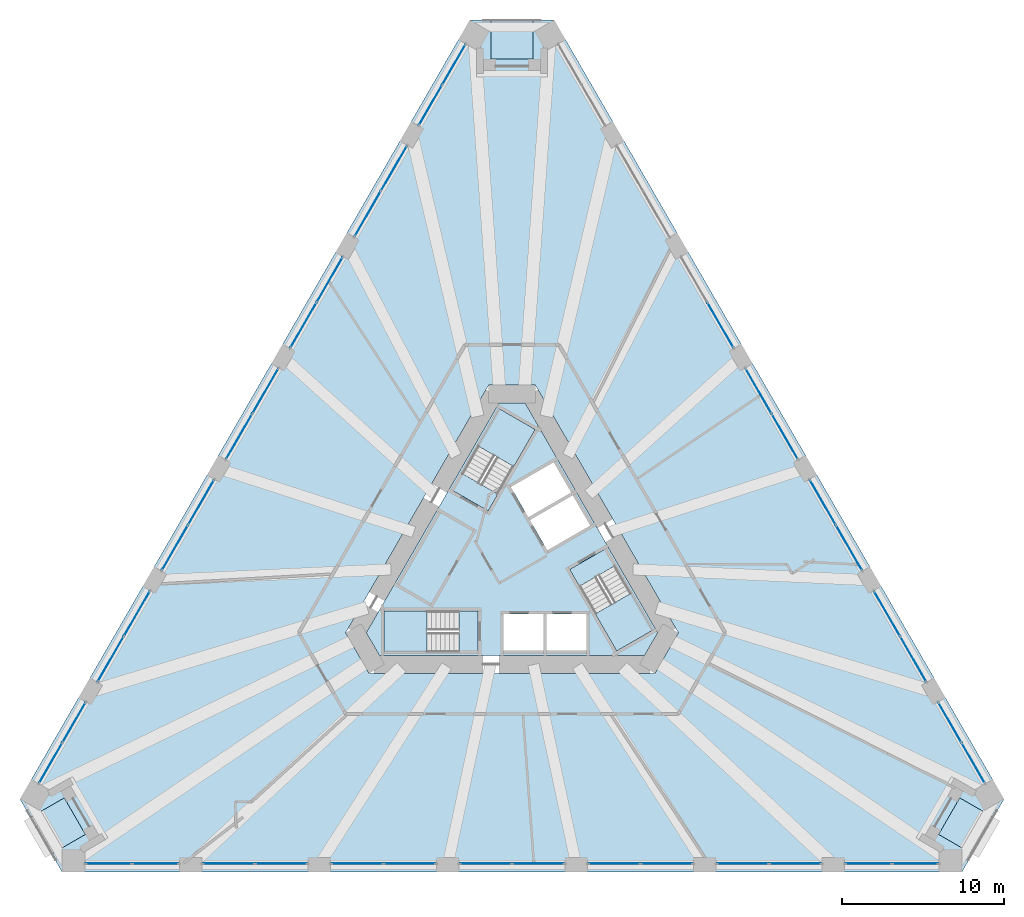
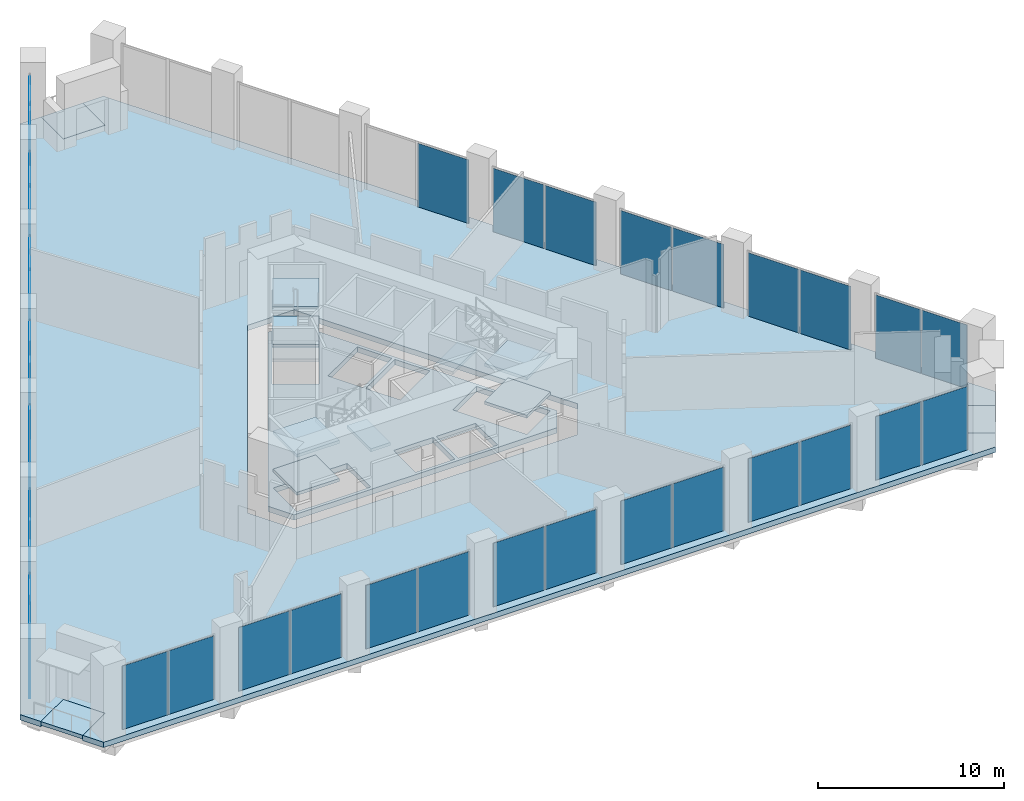
# One storey, part 12 of 20: 37 plates, 14 slabs, 22 elements without a shape of their own.
"""IFC4 building model written with IfcOpenShell, lengths in metres."""

from ifc_helpers import new_model, si_unit, direction, frame, origin, origin_2d, place, context, subcontext, project, spatial, polyline, rectangle, outline, extrude, material, layer, layer_set, type_object, element, aggregate, save


model = new_model("IFC4")

# Units and contexts
model_context = context("Model", 3, precision=1e-05, world=origin(), true_north=direction((0.0, 1.0)))
body_context = subcontext(model_context, "Body", "Model", "MODEL_VIEW")
ifc_project = project(units=[si_unit("LENGTHUNIT", "METRE"), si_unit("AREAUNIT", "SQUARE_METRE"), si_unit("VOLUMEUNIT", "CUBIC_METRE"), si_unit("PLANEANGLEUNIT", "RADIAN"), si_unit("MASSUNIT", "GRAM", prefix="KILO")], contexts=[model_context])

# Site, building, storey
site_placement = place(None, origin())
site = spatial("IfcSite", under=ifc_project, at=site_placement, CompositionType="ELEMENT")
building_placement = place(site_placement, origin())
building = spatial("IfcBuilding", under=site, at=building_placement, Name="Tramontana Tower", CompositionType="ELEMENT")
storey_placement = place(building_placement, frame((0.0, 0.0, 15.0)))
storey = spatial("IfcBuildingStorey", under=building, at=storey_placement, Name="L02", CompositionType="ELEMENT", Elevation=15.0)

# Curtain wall, plates
ifc_material_1 = material(Name="Aluminum extrusion", Category="aluminium")
ifc_layer_1 = layer(ifc_material_1, 0.14990234375)
ifc_layer_set_1 = layer_set([ifc_layer_1], Name="CW2 Podium amenity curtain wall")
curtain_wall_type = type_object("IfcCurtainWallType", Name="CW2 Podium amenity curtain wall", PredefinedType="NOTDEFINED", material=ifc_layer_set_1)
curtain_wall_1_placement = place(storey_placement, origin())
curtain_wall_1 = element("IfcCurtainWall", 1, at=curtain_wall_1_placement, inside=storey, type_object=curtain_wall_type, Name="CW2 curtain wall L02 face 0 bay 1", PredefinedType="NOTDEFINED")
ifc_material_2 = material(Name="Low-iron double glazing unit", Category="glass")
ifc_layer_2 = layer(ifc_material_2, 0.031982421875)
ifc_layer_set_2 = layer_set([ifc_layer_2], Name="CW2-P Glazing panel 32")
plate_type = type_object("IfcPlateType", Name="CW2-P Glazing panel 32", PredefinedType="CURTAIN_PANEL", material=ifc_layer_set_2)
plate_1_placement = place(storey_placement, frame((-3.578125, 30.75244140625, 0.0), z_axis=(0.0, 0.0, 1.0), x_axis=(-0.5, -0.866025403784, 0.0)))
plate_1 = element("IfcPlate", 2, at=plate_1_placement, type_object=plate_type, Name="CW2 curtain wall L02 face 0 bay 1 panel 1.1", PredefinedType="CURTAIN_PANEL", context=body_context, shape_type="SweptSolid", body=[
    extrude(rectangle(XDim=2.819091796875, YDim=0.031982421875, at=origin_2d()), origin(), (0.0, 0.0, 1.0), 4.179931640625),
])
plate_2_placement = place(storey_placement, frame((-5.017578125, 28.25927734375, 0.0), z_axis=(0.0, 0.0, 1.0), x_axis=(-0.5, -0.866025403784, 0.0)))
plate_2 = element("IfcPlate", 3, at=plate_2_placement, type_object=plate_type, Name="CW2 curtain wall L02 face 0 bay 1 panel 2.1", PredefinedType="CURTAIN_PANEL", context=body_context, shape_type="SweptSolid", body=[
    extrude(rectangle(XDim=2.819091796875, YDim=0.031982421875, at=origin_2d()), origin(), (0.0, 0.0, 1.0), 4.179931640625),
])
aggregate(curtain_wall_1, [plate_1, plate_2])

curtain_wall_2_placement = place(storey_placement, origin())
curtain_wall_2 = element("IfcCurtainWall", 4, at=curtain_wall_2_placement, inside=storey, type_object=curtain_wall_type, Name="CW2 curtain wall L02 face 0 bay 2", PredefinedType="NOTDEFINED")
plate_3_placement = place(storey_placement, frame((-7.274658203125, 24.349853515625, 0.0), z_axis=(0.0, 0.0, 1.0), x_axis=(-0.5, -0.866025403784, 0.0)))
plate_3 = element("IfcPlate", 5, at=plate_3_placement, type_object=plate_type, Name="CW2 curtain wall L02 face 0 bay 2 panel 1.1", PredefinedType="CURTAIN_PANEL", context=body_context, shape_type="SweptSolid", body=[
    extrude(rectangle(XDim=3.1689453125, YDim=0.031982421875, at=origin_2d()), origin(), (0.0, 0.0, 1.0), 4.179931640625),
])
plate_4_placement = place(storey_placement, frame((-8.88916015625, 21.5537109375, 0.0), z_axis=(0.0, 0.0, 1.0), x_axis=(-0.5, -0.866025403784, 0.0)))
plate_4 = element("IfcPlate", 6, at=plate_4_placement, type_object=plate_type, Name="CW2 curtain wall L02 face 0 bay 2 panel 2.1", PredefinedType="CURTAIN_PANEL", context=body_context, shape_type="SweptSolid", body=[
    extrude(rectangle(XDim=3.1689453125, YDim=0.031982421875, at=origin_2d()), origin(), (0.0, 0.0, 1.0), 4.179931640625),
])
aggregate(curtain_wall_2, [plate_3, plate_4])

curtain_wall_3_placement = place(storey_placement, origin())
curtain_wall_3 = element("IfcCurtainWall", 7, at=curtain_wall_3_placement, inside=storey, type_object=curtain_wall_type, Name="CW2 curtain wall L02 face 0 bay 3", PredefinedType="NOTDEFINED")
plate_5_placement = place(storey_placement, frame((-11.233642578125, 17.492919921875, 0.0), z_axis=(0.0, 0.0, 1.0), x_axis=(-0.5, -0.866025403784, 0.0)))
plate_5 = element("IfcPlate", 8, at=plate_5_placement, type_object=plate_type, Name="CW2 curtain wall L02 face 0 bay 3 panel 1.1", PredefinedType="CURTAIN_PANEL", context=body_context, shape_type="SweptSolid", body=[
    extrude(rectangle(XDim=3.1689453125, YDim=0.031982421875, at=origin_2d()), origin(), (0.0, 0.0, 1.0), 4.179931640625),
])
plate_6_placement = place(storey_placement, frame((-12.84814453125, 14.696533203125, 0.0), z_axis=(0.0, 0.0, 1.0), x_axis=(-0.5, -0.866025403784, 0.0)))
plate_6 = element("IfcPlate", 9, at=plate_6_placement, type_object=plate_type, Name="CW2 curtain wall L02 face 0 bay 3 panel 2.1", PredefinedType="CURTAIN_PANEL", context=body_context, shape_type="SweptSolid", body=[
    extrude(rectangle(XDim=3.1689453125, YDim=0.031982421875, at=origin_2d()), origin(), (0.0, 0.0, 1.0), 4.179931640625),
])
aggregate(curtain_wall_3, [plate_5, plate_6])

curtain_wall_4_placement = place(storey_placement, origin())
curtain_wall_4 = element("IfcCurtainWall", 10, at=curtain_wall_4_placement, inside=storey, type_object=curtain_wall_type, Name="CW2 curtain wall L02 face 0 bay 4", PredefinedType="NOTDEFINED")
plate_7_placement = place(storey_placement, frame((-15.192626953125, 10.6357421875, 0.0), z_axis=(0.0, 0.0, 1.0), x_axis=(-0.5, -0.866025403784, 0.0)))
plate_7 = element("IfcPlate", 11, at=plate_7_placement, type_object=plate_type, Name="CW2 curtain wall L02 face 0 bay 4 panel 1.1", PredefinedType="CURTAIN_PANEL", context=body_context, shape_type="SweptSolid", body=[
    extrude(rectangle(XDim=3.1689453125, YDim=0.031982421875, at=origin_2d()), origin(), (0.0, 0.0, 1.0), 4.179931640625),
])
plate_8_placement = place(storey_placement, frame((-16.80712890625, 7.83935546875, 0.0), z_axis=(0.0, 0.0, 1.0), x_axis=(-0.5, -0.866025403784, 0.0)))
plate_8 = element("IfcPlate", 12, at=plate_8_placement, type_object=plate_type, Name="CW2 curtain wall L02 face 0 bay 4 panel 2.1", PredefinedType="CURTAIN_PANEL", context=body_context, shape_type="SweptSolid", body=[
    extrude(rectangle(XDim=3.1689453125, YDim=0.031982421875, at=origin_2d()), origin(), (0.0, 0.0, 1.0), 4.179931640625),
])
aggregate(curtain_wall_4, [plate_7, plate_8])

curtain_wall_5_placement = place(storey_placement, origin())
curtain_wall_5 = element("IfcCurtainWall", 13, at=curtain_wall_5_placement, inside=storey, type_object=curtain_wall_type, Name="CW2 curtain wall L02 face 0 bay 5", PredefinedType="NOTDEFINED")
plate_9_placement = place(storey_placement, frame((-19.151611328125, 3.778564453125, 0.0), z_axis=(0.0, 0.0, 1.0), x_axis=(-0.5, -0.866025403784, 0.0)))
plate_9 = element("IfcPlate", 14, at=plate_9_placement, type_object=plate_type, Name="CW2 curtain wall L02 face 0 bay 5 panel 1.1", PredefinedType="CURTAIN_PANEL", context=body_context, shape_type="SweptSolid", body=[
    extrude(rectangle(XDim=3.1689453125, YDim=0.031982421875, at=origin_2d()), origin(), (0.0, 0.0, 1.0), 4.179931640625),
])
plate_10_placement = place(storey_placement, frame((-20.76611328125, 0.982177734375, 0.0), z_axis=(0.0, 0.0, 1.0), x_axis=(-0.5, -0.866025403784, 0.0)))
plate_10 = element("IfcPlate", 15, at=plate_10_placement, type_object=plate_type, Name="CW2 curtain wall L02 face 0 bay 5 panel 2.1", PredefinedType="CURTAIN_PANEL", context=body_context, shape_type="SweptSolid", body=[
    extrude(rectangle(XDim=3.1689453125, YDim=0.031982421875, at=origin_2d()), origin(), (0.0, 0.0, 1.0), 4.179931640625),
])
aggregate(curtain_wall_5, [plate_9, plate_10])

curtain_wall_6_placement = place(storey_placement, origin())
curtain_wall_6 = element("IfcCurtainWall", 16, at=curtain_wall_6_placement, inside=storey, type_object=curtain_wall_type, Name="CW2 curtain wall L02 face 0 bay 6", PredefinedType="NOTDEFINED")
plate_11_placement = place(storey_placement, frame((-23.110595703125, -3.07861328125, 0.0), z_axis=(0.0, 0.0, 1.0), x_axis=(-0.5, -0.866025403784, 0.0)))
plate_11 = element("IfcPlate", 17, at=plate_11_placement, type_object=plate_type, Name="CW2 curtain wall L02 face 0 bay 6 panel 1.1", PredefinedType="CURTAIN_PANEL", context=body_context, shape_type="SweptSolid", body=[
    extrude(rectangle(XDim=3.1689453125, YDim=0.031982421875, at=origin_2d()), origin(), (0.0, 0.0, 1.0), 4.179931640625),
])
plate_12_placement = place(storey_placement, frame((-24.72509765625, -5.875, 0.0), z_axis=(0.0, 0.0, 1.0), x_axis=(-0.5, -0.866025403784, 0.0)))
plate_12 = element("IfcPlate", 18, at=plate_12_placement, type_object=plate_type, Name="CW2 curtain wall L02 face 0 bay 6 panel 2.1", PredefinedType="CURTAIN_PANEL", context=body_context, shape_type="SweptSolid", body=[
    extrude(rectangle(XDim=3.1689453125, YDim=0.031982421875, at=origin_2d()), origin(), (0.0, 0.0, 1.0), 4.179931640625),
])
aggregate(curtain_wall_6, [plate_11, plate_12])

curtain_wall_7_placement = place(storey_placement, origin())
curtain_wall_7 = element("IfcCurtainWall", 19, at=curtain_wall_7_placement, inside=storey, type_object=curtain_wall_type, Name="CW2 curtain wall L02 face 0 bay 7", PredefinedType="NOTDEFINED")
plate_13_placement = place(storey_placement, frame((-26.98193359375, -9.7841796875, 0.0), z_axis=(0.0, 0.0, 1.0), x_axis=(-0.5, -0.866025403784, 0.0)))
plate_13 = element("IfcPlate", 20, at=plate_13_placement, type_object=plate_type, Name="CW2 curtain wall L02 face 0 bay 7 panel 1.1", PredefinedType="CURTAIN_PANEL", context=body_context, shape_type="SweptSolid", body=[
    extrude(rectangle(XDim=2.819091796875, YDim=0.031982421875, at=origin_2d()), origin(), (0.0, 0.0, 1.0), 4.179931640625),
])
plate_14_placement = place(storey_placement, frame((-28.42138671875, -12.27734375, 0.0), z_axis=(0.0, 0.0, 1.0), x_axis=(-0.5, -0.866025403784, 0.0)))
plate_14 = element("IfcPlate", 21, at=plate_14_placement, type_object=plate_type, Name="CW2 curtain wall L02 face 0 bay 7 panel 2.1", PredefinedType="CURTAIN_PANEL", context=body_context, shape_type="SweptSolid", body=[
    extrude(rectangle(XDim=2.819091796875, YDim=0.031982421875, at=origin_2d()), origin(), (0.0, 0.0, 1.0), 4.179931640625),
])
aggregate(curtain_wall_7, [plate_13, plate_14])

curtain_wall_8_placement = place(storey_placement, origin())
curtain_wall_8 = element("IfcCurtainWall", 22, at=curtain_wall_8_placement, inside=storey, type_object=curtain_wall_type, Name="CW2 curtain wall L02 face 1 bay 1", PredefinedType="NOTDEFINED")
plate_15_placement = place(storey_placement, frame((-24.84326171875, -18.47509765625, 0.0), z_axis=(0.0, 0.0, 1.0), x_axis=(1.0, 0.0, 0.0)))
plate_15 = element("IfcPlate", 23, at=plate_15_placement, type_object=plate_type, Name="CW2 curtain wall L02 face 1 bay 1 panel 1.1", PredefinedType="CURTAIN_PANEL", context=body_context, shape_type="SweptSolid", body=[
    extrude(rectangle(XDim=2.819091796875, YDim=0.031982421875, at=origin_2d()), origin(), (0.0, 0.0, 1.0), 4.179931640625),
])
plate_16_placement = place(storey_placement, frame((-21.96435546875, -18.47509765625, 0.0), z_axis=(0.0, 0.0, 1.0), x_axis=(1.0, 0.0, 0.0)))
plate_16 = element("IfcPlate", 24, at=plate_16_placement, type_object=plate_type, Name="CW2 curtain wall L02 face 1 bay 1 panel 2.1", PredefinedType="CURTAIN_PANEL", context=body_context, shape_type="SweptSolid", body=[
    extrude(rectangle(XDim=2.819091796875, YDim=0.031982421875, at=origin_2d()), origin(), (0.0, 0.0, 1.0), 4.179931640625),
])
aggregate(curtain_wall_8, [plate_15, plate_16])

curtain_wall_9_placement = place(storey_placement, origin())
curtain_wall_9 = element("IfcCurtainWall", 25, at=curtain_wall_9_placement, inside=storey, type_object=curtain_wall_type, Name="CW2 curtain wall L02 face 1 bay 2", PredefinedType="NOTDEFINED")
plate_17_placement = place(storey_placement, frame((-17.450439453125, -18.47509765625, 0.0), z_axis=(0.0, 0.0, 1.0), x_axis=(1.0, 0.0, 0.0)))
plate_17 = element("IfcPlate", 26, at=plate_17_placement, type_object=plate_type, Name="CW2 curtain wall L02 face 1 bay 2 panel 1.1", PredefinedType="CURTAIN_PANEL", context=body_context, shape_type="SweptSolid", body=[
    extrude(rectangle(XDim=3.1689453125, YDim=0.031982421875, at=origin_2d()), origin(), (0.0, 0.0, 1.0), 4.179931640625),
])
plate_18_placement = place(storey_placement, frame((-14.221435546875, -18.47509765625, 0.0), z_axis=(0.0, 0.0, 1.0), x_axis=(1.0, 0.0, 0.0)))
plate_18 = element("IfcPlate", 27, at=plate_18_placement, type_object=plate_type, Name="CW2 curtain wall L02 face 1 bay 2 panel 2.1", PredefinedType="CURTAIN_PANEL", context=body_context, shape_type="SweptSolid", body=[
    extrude(rectangle(XDim=3.1689453125, YDim=0.031982421875, at=origin_2d()), origin(), (0.0, 0.0, 1.0), 4.179931640625),
])
aggregate(curtain_wall_9, [plate_17, plate_18])

curtain_wall_10_placement = place(storey_placement, origin())
curtain_wall_10 = element("IfcCurtainWall", 28, at=curtain_wall_10_placement, inside=storey, type_object=curtain_wall_type, Name="CW2 curtain wall L02 face 1 bay 3", PredefinedType="NOTDEFINED")
plate_19_placement = place(storey_placement, frame((-9.532470703125, -18.47509765625, 0.0), z_axis=(0.0, 0.0, 1.0), x_axis=(1.0, 0.0, 0.0)))
plate_19 = element("IfcPlate", 29, at=plate_19_placement, type_object=plate_type, Name="CW2 curtain wall L02 face 1 bay 3 panel 1.1", PredefinedType="CURTAIN_PANEL", context=body_context, shape_type="SweptSolid", body=[
    extrude(rectangle(XDim=3.1689453125, YDim=0.031982421875, at=origin_2d()), origin(), (0.0, 0.0, 1.0), 4.179931640625),
])
plate_20_placement = place(storey_placement, frame((-6.303466796875, -18.47509765625, 0.0), z_axis=(0.0, 0.0, 1.0), x_axis=(1.0, 0.0, 0.0)))
plate_20 = element("IfcPlate", 30, at=plate_20_placement, type_object=plate_type, Name="CW2 curtain wall L02 face 1 bay 3 panel 2.1", PredefinedType="CURTAIN_PANEL", context=body_context, shape_type="SweptSolid", body=[
    extrude(rectangle(XDim=3.1689453125, YDim=0.031982421875, at=origin_2d()), origin(), (0.0, 0.0, 1.0), 4.179931640625),
])
aggregate(curtain_wall_10, [plate_19, plate_20])

curtain_wall_11_placement = place(storey_placement, origin())
curtain_wall_11 = element("IfcCurtainWall", 31, at=curtain_wall_11_placement, inside=storey, type_object=curtain_wall_type, Name="CW2 curtain wall L02 face 1 bay 4", PredefinedType="NOTDEFINED")
plate_21_placement = place(storey_placement, frame((-1.614501953125, -18.47509765625, 0.0), z_axis=(0.0, 0.0, 1.0), x_axis=(1.0, 0.0, 0.0)))
plate_21 = element("IfcPlate", 32, at=plate_21_placement, type_object=plate_type, Name="CW2 curtain wall L02 face 1 bay 4 panel 1.1", PredefinedType="CURTAIN_PANEL", context=body_context, shape_type="SweptSolid", body=[
    extrude(rectangle(XDim=3.1689453125, YDim=0.031982421875, at=origin_2d()), origin(), (0.0, 0.0, 1.0), 4.179931640625),
])
plate_22_placement = place(storey_placement, frame((1.614501953125, -18.47509765625, 0.0), z_axis=(0.0, 0.0, 1.0), x_axis=(1.0, 0.0, 0.0)))
plate_22 = element("IfcPlate", 33, at=plate_22_placement, type_object=plate_type, Name="CW2 curtain wall L02 face 1 bay 4 panel 2.1", PredefinedType="CURTAIN_PANEL", context=body_context, shape_type="SweptSolid", body=[
    extrude(rectangle(XDim=3.1689453125, YDim=0.031982421875, at=origin_2d()), origin(), (0.0, 0.0, 1.0), 4.179931640625),
])
aggregate(curtain_wall_11, [plate_21, plate_22])

curtain_wall_12_placement = place(storey_placement, origin())
curtain_wall_12 = element("IfcCurtainWall", 34, at=curtain_wall_12_placement, inside=storey, type_object=curtain_wall_type, Name="CW2 curtain wall L02 face 1 bay 5", PredefinedType="NOTDEFINED")
plate_23_placement = place(storey_placement, frame((6.303466796875, -18.47509765625, 0.0), z_axis=(0.0, 0.0, 1.0), x_axis=(1.0, 0.0, 0.0)))
plate_23 = element("IfcPlate", 35, at=plate_23_placement, type_object=plate_type, Name="CW2 curtain wall L02 face 1 bay 5 panel 1.1", PredefinedType="CURTAIN_PANEL", context=body_context, shape_type="SweptSolid", body=[
    extrude(rectangle(XDim=3.1689453125, YDim=0.031982421875, at=origin_2d()), origin(), (0.0, 0.0, 1.0), 4.179931640625),
])
plate_24_placement = place(storey_placement, frame((9.532470703125, -18.47509765625, 0.0), z_axis=(0.0, 0.0, 1.0), x_axis=(1.0, 0.0, 0.0)))
plate_24 = element("IfcPlate", 36, at=plate_24_placement, type_object=plate_type, Name="CW2 curtain wall L02 face 1 bay 5 panel 2.1", PredefinedType="CURTAIN_PANEL", context=body_context, shape_type="SweptSolid", body=[
    extrude(rectangle(XDim=3.1689453125, YDim=0.031982421875, at=origin_2d()), origin(), (0.0, 0.0, 1.0), 4.179931640625),
])
aggregate(curtain_wall_12, [plate_23, plate_24])

curtain_wall_13_placement = place(storey_placement, origin())
curtain_wall_13 = element("IfcCurtainWall", 37, at=curtain_wall_13_placement, inside=storey, type_object=curtain_wall_type, Name="CW2 curtain wall L02 face 1 bay 6", PredefinedType="NOTDEFINED")
plate_25_placement = place(storey_placement, frame((14.221435546875, -18.47509765625, 0.0), z_axis=(0.0, 0.0, 1.0), x_axis=(1.0, 0.0, 0.0)))
plate_25 = element("IfcPlate", 38, at=plate_25_placement, type_object=plate_type, Name="CW2 curtain wall L02 face 1 bay 6 panel 1.1", PredefinedType="CURTAIN_PANEL", context=body_context, shape_type="SweptSolid", body=[
    extrude(rectangle(XDim=3.1689453125, YDim=0.031982421875, at=origin_2d()), origin(), (0.0, 0.0, 1.0), 4.179931640625),
])
plate_26_placement = place(storey_placement, frame((17.450439453125, -18.47509765625, 0.0), z_axis=(0.0, 0.0, 1.0), x_axis=(1.0, 0.0, 0.0)))
plate_26 = element("IfcPlate", 39, at=plate_26_placement, type_object=plate_type, Name="CW2 curtain wall L02 face 1 bay 6 panel 2.1", PredefinedType="CURTAIN_PANEL", context=body_context, shape_type="SweptSolid", body=[
    extrude(rectangle(XDim=3.1689453125, YDim=0.031982421875, at=origin_2d()), origin(), (0.0, 0.0, 1.0), 4.179931640625),
])
aggregate(curtain_wall_13, [plate_25, plate_26])

curtain_wall_14_placement = place(storey_placement, origin())
curtain_wall_14 = element("IfcCurtainWall", 40, at=curtain_wall_14_placement, inside=storey, type_object=curtain_wall_type, Name="CW2 curtain wall L02 face 1 bay 7", PredefinedType="NOTDEFINED")
plate_27_placement = place(storey_placement, frame((21.96435546875, -18.47509765625, 0.0), z_axis=(0.0, 0.0, 1.0), x_axis=(1.0, 0.0, 0.0)))
plate_27 = element("IfcPlate", 41, at=plate_27_placement, type_object=plate_type, Name="CW2 curtain wall L02 face 1 bay 7 panel 1.1", PredefinedType="CURTAIN_PANEL", context=body_context, shape_type="SweptSolid", body=[
    extrude(rectangle(XDim=2.819091796875, YDim=0.031982421875, at=origin_2d()), origin(), (0.0, 0.0, 1.0), 4.179931640625),
])
plate_28_placement = place(storey_placement, frame((24.84326171875, -18.47509765625, 0.0), z_axis=(0.0, 0.0, 1.0), x_axis=(1.0, 0.0, 0.0)))
plate_28 = element("IfcPlate", 42, at=plate_28_placement, type_object=plate_type, Name="CW2 curtain wall L02 face 1 bay 7 panel 2.1", PredefinedType="CURTAIN_PANEL", context=body_context, shape_type="SweptSolid", body=[
    extrude(rectangle(XDim=2.819091796875, YDim=0.031982421875, at=origin_2d()), origin(), (0.0, 0.0, 1.0), 4.179931640625),
])
aggregate(curtain_wall_14, [plate_27, plate_28])

curtain_wall_15_placement = place(storey_placement, origin())
curtain_wall_15 = element("IfcCurtainWall", 43, at=curtain_wall_15_placement, inside=storey, type_object=curtain_wall_type, Name="CW2 curtain wall L02 face 2 bay 1", PredefinedType="NOTDEFINED")
plate_29_placement = place(storey_placement, frame((28.42138671875, -12.27734375, 0.0), z_axis=(0.0, 0.0, 1.0), x_axis=(-0.5, 0.866025403784, 0.0)))
plate_29 = element("IfcPlate", 44, at=plate_29_placement, type_object=plate_type, Name="CW2 curtain wall L02 face 2 bay 1 panel 1.1", PredefinedType="CURTAIN_PANEL", context=body_context, shape_type="SweptSolid", body=[
    extrude(rectangle(XDim=2.819091796875, YDim=0.031982421875, at=origin_2d()), origin(), (0.0, 0.0, 1.0), 4.179931640625),
])
plate_30_placement = place(storey_placement, frame((26.98193359375, -9.7841796875, 0.0), z_axis=(0.0, 0.0, 1.0), x_axis=(-0.5, 0.866025403784, 0.0)))
plate_30 = element("IfcPlate", 45, at=plate_30_placement, type_object=plate_type, Name="CW2 curtain wall L02 face 2 bay 1 panel 2.1", PredefinedType="CURTAIN_PANEL", context=body_context, shape_type="SweptSolid", body=[
    extrude(rectangle(XDim=2.819091796875, YDim=0.031982421875, at=origin_2d()), origin(), (0.0, 0.0, 1.0), 4.179931640625),
])
aggregate(curtain_wall_15, [plate_29, plate_30])

curtain_wall_16_placement = place(storey_placement, origin())
curtain_wall_16 = element("IfcCurtainWall", 46, at=curtain_wall_16_placement, inside=storey, type_object=curtain_wall_type, Name="CW2 curtain wall L02 face 2 bay 2", PredefinedType="NOTDEFINED")
plate_31_placement = place(storey_placement, frame((24.72509765625, -5.875, 0.0), z_axis=(0.0, 0.0, 1.0), x_axis=(-0.5, 0.866025403784, 0.0)))
plate_31 = element("IfcPlate", 47, at=plate_31_placement, type_object=plate_type, Name="CW2 curtain wall L02 face 2 bay 2 panel 1.1", PredefinedType="CURTAIN_PANEL", context=body_context, shape_type="SweptSolid", body=[
    extrude(rectangle(XDim=3.1689453125, YDim=0.031982421875, at=origin_2d()), origin(), (0.0, 0.0, 1.0), 4.179931640625),
])
plate_32_placement = place(storey_placement, frame((23.110595703125, -3.07861328125, 0.0), z_axis=(0.0, 0.0, 1.0), x_axis=(-0.5, 0.866025403784, 0.0)))
plate_32 = element("IfcPlate", 48, at=plate_32_placement, type_object=plate_type, Name="CW2 curtain wall L02 face 2 bay 2 panel 2.1", PredefinedType="CURTAIN_PANEL", context=body_context, shape_type="SweptSolid", body=[
    extrude(rectangle(XDim=3.1689453125, YDim=0.031982421875, at=origin_2d()), origin(), (0.0, 0.0, 1.0), 4.179931640625),
])
aggregate(curtain_wall_16, [plate_31, plate_32])

curtain_wall_17_placement = place(storey_placement, origin())
curtain_wall_17 = element("IfcCurtainWall", 49, at=curtain_wall_17_placement, inside=storey, type_object=curtain_wall_type, Name="CW2 curtain wall L02 face 2 bay 3", PredefinedType="NOTDEFINED")
plate_33_placement = place(storey_placement, frame((20.76611328125, 0.982177734375, 0.0), z_axis=(0.0, 0.0, 1.0), x_axis=(-0.5, 0.866025403784, 0.0)))
plate_33 = element("IfcPlate", 50, at=plate_33_placement, type_object=plate_type, Name="CW2 curtain wall L02 face 2 bay 3 panel 1.1", PredefinedType="CURTAIN_PANEL", context=body_context, shape_type="SweptSolid", body=[
    extrude(rectangle(XDim=3.1689453125, YDim=0.031982421875, at=origin_2d()), origin(), (0.0, 0.0, 1.0), 4.179931640625),
])
plate_34_placement = place(storey_placement, frame((19.151611328125, 3.778564453125, 0.0), z_axis=(0.0, 0.0, 1.0), x_axis=(-0.5, 0.866025403784, 0.0)))
plate_34 = element("IfcPlate", 51, at=plate_34_placement, type_object=plate_type, Name="CW2 curtain wall L02 face 2 bay 3 panel 2.1", PredefinedType="CURTAIN_PANEL", context=body_context, shape_type="SweptSolid", body=[
    extrude(rectangle(XDim=3.1689453125, YDim=0.031982421875, at=origin_2d()), origin(), (0.0, 0.0, 1.0), 4.179931640625),
])
aggregate(curtain_wall_17, [plate_33, plate_34])

curtain_wall_18_placement = place(storey_placement, origin())
curtain_wall_18 = element("IfcCurtainWall", 52, at=curtain_wall_18_placement, inside=storey, type_object=curtain_wall_type, Name="CW2 curtain wall L02 face 2 bay 4", PredefinedType="NOTDEFINED")
plate_35_placement = place(storey_placement, frame((16.80712890625, 7.83935546875, 0.0), z_axis=(0.0, 0.0, 1.0), x_axis=(-0.5, 0.866025403784, 0.0)))
plate_35 = element("IfcPlate", 53, at=plate_35_placement, type_object=plate_type, Name="CW2 curtain wall L02 face 2 bay 4 panel 1.1", PredefinedType="CURTAIN_PANEL", context=body_context, shape_type="SweptSolid", body=[
    extrude(rectangle(XDim=3.1689453125, YDim=0.031982421875, at=origin_2d()), origin(), (0.0, 0.0, 1.0), 4.179931640625),
])
plate_36_placement = place(storey_placement, frame((15.192626953125, 10.6357421875, 0.0), z_axis=(0.0, 0.0, 1.0), x_axis=(-0.5, 0.866025403784, 0.0)))
plate_36 = element("IfcPlate", 54, at=plate_36_placement, type_object=plate_type, Name="CW2 curtain wall L02 face 2 bay 4 panel 2.1", PredefinedType="CURTAIN_PANEL", context=body_context, shape_type="SweptSolid", body=[
    extrude(rectangle(XDim=3.1689453125, YDim=0.031982421875, at=origin_2d()), origin(), (0.0, 0.0, 1.0), 4.179931640625),
])
aggregate(curtain_wall_18, [plate_35, plate_36])

# Curtain wall, plate
curtain_wall_19_placement = place(storey_placement, origin())
curtain_wall_19 = element("IfcCurtainWall", 55, at=curtain_wall_19_placement, inside=storey, type_object=curtain_wall_type, Name="CW2 curtain wall L02 face 2 bay 5", PredefinedType="NOTDEFINED")
plate_37_placement = place(storey_placement, frame((12.84814453125, 14.696533203125, 0.0), z_axis=(0.0, 0.0, 1.0), x_axis=(-0.5, 0.866025403784, 0.0)))
plate_37 = element("IfcPlate", 56, at=plate_37_placement, type_object=plate_type, Name="CW2 curtain wall L02 face 2 bay 5 panel 1.1", PredefinedType="CURTAIN_PANEL", context=body_context, shape_type="SweptSolid", body=[
    extrude(rectangle(XDim=3.1689453125, YDim=0.031982421875, at=origin_2d()), origin(), (0.0, 0.0, 1.0), 4.179931640625),
])
aggregate(curtain_wall_19, [plate_37])

# Slabs
ifc_material_3 = material(Name="Precast concrete 50 MPa", Category="concrete")
ifc_layer_3 = layer(ifc_material_3, 0.25)
ifc_layer_set_3 = layer_set([ifc_layer_3], Name="LT1 Loggia floor tray 250")
slab_type_1 = type_object("IfcSlabType", Name="LT1 Loggia floor tray 250", PredefinedType="FLOOR", material=ifc_layer_set_3)
slab_1_placement = place(storey_placement, frame((0.0, 0.0, -0.25)))
element("IfcSlab", 57, at=slab_1_placement, inside=storey, type_object=slab_type_1, Name="Corner loggia floor L02 K00", PredefinedType="FLOOR", context=body_context, shape_type="SweptSolid", body=[
    extrude(outline(polyline([(1.300048828125, 33.5), (1.300048828125, 31.10009765625), (-1.300048828125, 31.10009765625), (-1.300048828125, 33.5), (1.300048828125, 33.5)])), origin(), (0.0, 0.0, 1.0), 0.25),
])
slab_2_placement = place(storey_placement, frame((0.0, 0.0, -0.25)))
element("IfcSlab", 58, at=slab_2_placement, inside=storey, type_object=slab_type_1, Name="Corner loggia floor L02 K01", PredefinedType="FLOOR", context=body_context, shape_type="SweptSolid", body=[
    extrude(outline(polyline([(-29.661865234375, -15.624267578125), (-27.58349609375, -14.424072265625), (-26.283447265625, -16.67578125), (-28.36181640625, -17.875732421875), (-29.661865234375, -15.624267578125)])), origin(), (0.0, 0.0, 1.0), 0.25),
])
slab_3_placement = place(storey_placement, frame((0.0, 0.0, -0.25)))
element("IfcSlab", 59, at=slab_3_placement, inside=storey, type_object=slab_type_1, Name="Corner loggia floor L02 K02", PredefinedType="FLOOR", context=body_context, shape_type="SweptSolid", body=[
    extrude(outline(polyline([(28.36181640625, -17.875732421875), (26.283447265625, -16.67578125), (27.58349609375, -14.424072265625), (29.661865234375, -15.624267578125), (28.36181640625, -17.875732421875)])), origin(), (0.0, 0.0, 1.0), 0.25),
])
ifc_material_4 = material(Name="Concrete 40 MPa", Category="concrete")
ifc_layer_4 = layer(ifc_material_4, 0.35009765625)
ifc_layer_set_4 = layer_set([ifc_layer_4], Name="PT FLAT SLAB 350 40 MPa")
slab_type_2 = type_object("IfcSlabType", Name="PT FLAT SLAB 350 40 MPa", PredefinedType="FLOOR", material=ifc_layer_set_4)
slab_4_placement = place(storey_placement, frame((0.0, 0.0, -0.35009765625)))
element("IfcSlab", 60, at=slab_4_placement, inside=storey, type_object=slab_type_2, Name="Floor slab L02", PredefinedType="FLOOR", context=body_context, shape_type="SweptSolid", body=[
    extrude(outline(polyline([(29.661865234375, -15.624267578125), (27.58349609375, -14.42431640625), (26.283447265625, -16.67578125), (28.36181640625, -17.875732421875), (27.712890625, -19.0), (-27.712890625, -19.0), (-28.36181640625, -17.875732421875), (-26.283447265625, -16.67578125), (-27.58349609375, -14.42431640625), (-29.661865234375, -15.624267578125), (-30.310791015625, -14.5), (-2.59814453125, 33.5), (-1.300048828125, 33.5), (-1.300048828125, 31.10009765625), (1.300048828125, 31.10009765625), (1.300048828125, 33.5), (2.59814453125, 33.5), (30.310791015625, -14.5), (29.661865234375, -15.624267578125)]), holes=[polyline([(-10.248046875, -4.25), (-8.8046875, -6.75), (8.8046875, -6.75), (10.248046875, -4.25), (1.443359375, 11.0), (-1.443359375, 11.0), (-10.248046875, -4.25)])]), origin(), (0.0, 0.0, 1.0), 0.35009765625),
])
slab_5_placement = place(storey_placement, frame((0.0, 0.0, -0.35009765625)))
element("IfcSlab", 61, at=slab_5_placement, inside=storey, type_object=slab_type_2, Name="Core floor slab L02", PredefinedType="FLOOR", context=body_context, shape_type="SweptSolid", body=[
    extrude(outline(polyline([(8.977783203125, -4.25), (8.16943359375, -5.64990234375), (-8.16943359375, -5.64990234375), (-8.977783203125, -4.25), (-0.808349609375, 9.89990234375), (0.808349609375, 9.89990234375), (8.977783203125, -4.25)]), holes=[polyline([(8.659912109375, -4.099365234375), (6.35986328125, -0.115478515625), (4.151611328125, -1.390625), (6.451416015625, -5.374267578125), (8.659912109375, -4.099365234375)]), polyline([(3.829833984375, 4.2666015625), (1.101806640625, 2.69140625), (2.177001953125, 0.82958984375), (4.90478515625, 2.404541015625), (3.829833984375, 4.2666015625)]), polyline([(4.590087890625, -3.10009765625), (2.139892578125, -3.10009765625), (2.139892578125, -5.449951171875), (4.590087890625, -5.449951171875), (4.590087890625, -3.10009765625)]), polyline([(2.65478515625, 6.3017578125), (-0.072998046875, 4.726806640625), (1.001953125, 2.86474609375), (3.729736328125, 4.439697265625), (2.65478515625, 6.3017578125)]), polyline([(1.93994140625, -5.449951171875), (1.93994140625, -3.10009765625), (-0.510009765625, -3.10009765625), (-0.510009765625, -5.449951171875), (1.93994140625, -5.449951171875)]), polyline([(-0.77978515625, 9.54931640625), (-3.079833984375, 5.565673828125), (-0.87158203125, 4.29052734375), (1.428466796875, 8.2744140625), (-0.77978515625, 9.54931640625)]), polyline([(-7.8798828125, -5.449951171875), (-3.280029296875, -5.449951171875), (-3.280029296875, -2.89990234375), (-7.8798828125, -2.89990234375), (-7.8798828125, -5.449951171875)])]), origin(), (0.0, 0.0, 1.0), 0.35009765625),
])

# Stair, slabs
ifc_material_5 = material(Name="Concrete 40 MPa", Category="concrete")
stair_type = type_object("IfcStairType", Name="EXIT STAIR 32 RISERS", PredefinedType="HALF_TURN_STAIR", material=ifc_material_5)
stair_1_placement = place(storey_placement, origin())
stair_1 = element("IfcStair", 62, at=stair_1_placement, inside=storey, type_object=stair_type, Name="L02 Exit stair ST1", PredefinedType="HALF_TURN_STAIR")
ifc_material_6 = material(Name="Concrete 40 MPa", Category="concrete")
ifc_layer_5 = layer(ifc_material_6, 0.199951171875)
ifc_layer_set_5 = layer_set([ifc_layer_5], Name="STAIR LANDING 200")
slab_type_3 = type_object("IfcSlabType", Name="STAIR LANDING 200", PredefinedType="LANDING", material=ifc_layer_set_5)
slab_6_placement = place(storey_placement, frame((0.0, 0.0, 1.050048828125)))
slab_6 = element("IfcSlab", 63, at=slab_6_placement, type_object=slab_type_3, Name="ST1 landing 1", PredefinedType="LANDING", context=body_context, shape_type="SweptSolid", body=[
    extrude(outline(polyline([(0.108642578125, 5.988037109375), (1.428466796875, 8.274169921875), (-0.77978515625, 9.54931640625), (-2.099853515625, 7.262939453125), (0.108642578125, 5.988037109375)])), origin(), (0.0, 0.0, 1.0), 0.199951171875),
])
slab_7_placement = place(storey_placement, frame((0.0, 0.0, 2.300048828125)))
slab_7 = element("IfcSlab", 64, at=slab_7_placement, type_object=slab_type_3, Name="ST1 landing 2", PredefinedType="LANDING", context=body_context, shape_type="SweptSolid", body=[
    extrude(outline(polyline([(-1.471435546875, 3.251220703125), (-0.87158203125, 4.29052734375), (-3.079833984375, 5.565673828125), (-3.679931640625, 4.5263671875), (-1.471435546875, 3.251220703125)])), origin(), (0.0, 0.0, 1.0), 0.199951171875),
])
slab_8_placement = place(storey_placement, frame((0.0, 0.0, 3.550048828125)))
slab_8 = element("IfcSlab", 65, at=slab_8_placement, type_object=slab_type_3, Name="ST1 landing 3", PredefinedType="LANDING", context=body_context, shape_type="SweptSolid", body=[
    extrude(outline(polyline([(0.108642578125, 5.988037109375), (1.428466796875, 8.274169921875), (-0.77978515625, 9.54931640625), (-2.099853515625, 7.262939453125), (0.108642578125, 5.988037109375)])), origin(), (0.0, 0.0, 1.0), 0.199951171875),
])
aggregate(stair_1, [slab_6, slab_7, slab_8])

stair_2_placement = place(storey_placement, origin())
stair_2 = element("IfcStair", 66, at=stair_2_placement, inside=storey, type_object=stair_type, Name="L02 Exit stair ST2", PredefinedType="HALF_TURN_STAIR")
slab_9_placement = place(storey_placement, frame((0.0, 0.0, 1.050048828125)))
slab_9 = element("IfcSlab", 67, at=slab_9_placement, type_object=slab_type_3, Name="ST2 landing 1", PredefinedType="LANDING", context=body_context, shape_type="SweptSolid", body=[
    extrude(outline(polyline([(-5.239990234375, -2.89990234375), (-7.8798828125, -2.89990234375), (-7.8798828125, -5.449951171875), (-5.239990234375, -5.449951171875), (-5.239990234375, -2.89990234375)])), origin(), (0.0, 0.0, 1.0), 0.199951171875),
])
slab_10_placement = place(storey_placement, frame((0.0, 0.0, 2.300048828125)))
slab_10 = element("IfcSlab", 68, at=slab_10_placement, type_object=slab_type_3, Name="ST2 landing 2", PredefinedType="LANDING", context=body_context, shape_type="SweptSolid", body=[
    extrude(outline(polyline([(-2.080078125, -2.89990234375), (-3.280029296875, -2.89990234375), (-3.280029296875, -5.449951171875), (-2.080078125, -5.449951171875), (-2.080078125, -2.89990234375)])), origin(), (0.0, 0.0, 1.0), 0.199951171875),
])
slab_11_placement = place(storey_placement, frame((0.0, 0.0, 3.550048828125)))
slab_11 = element("IfcSlab", 69, at=slab_11_placement, type_object=slab_type_3, Name="ST2 landing 3", PredefinedType="LANDING", context=body_context, shape_type="SweptSolid", body=[
    extrude(outline(polyline([(-5.239990234375, -2.89990234375), (-7.8798828125, -2.89990234375), (-7.8798828125, -5.449951171875), (-5.239990234375, -5.449951171875), (-5.239990234375, -2.89990234375)])), origin(), (0.0, 0.0, 1.0), 0.199951171875),
])
aggregate(stair_2, [slab_9, slab_10, slab_11])

stair_3_placement = place(storey_placement, origin())
stair_3 = element("IfcStair", 70, at=stair_3_placement, inside=storey, type_object=stair_type, Name="L02 Exit stair ST3", PredefinedType="HALF_TURN_STAIR")
slab_12_placement = place(storey_placement, frame((0.0, 0.0, 1.050048828125)))
slab_12 = element("IfcSlab", 71, at=slab_12_placement, type_object=slab_type_3, Name="ST3 landing 1", PredefinedType="LANDING", context=body_context, shape_type="SweptSolid", body=[
    extrude(outline(polyline([(5.131591796875, -3.087890625), (6.451416015625, -5.374267578125), (8.659912109375, -4.099365234375), (7.33984375, -1.81298828125), (5.131591796875, -3.087890625)])), origin(), (0.0, 0.0, 1.0), 0.199951171875),
])
slab_13_placement = place(storey_placement, frame((0.0, 0.0, 2.300048828125)))
slab_13 = element("IfcSlab", 72, at=slab_13_placement, type_object=slab_type_3, Name="ST3 landing 2", PredefinedType="LANDING", context=body_context, shape_type="SweptSolid", body=[
    extrude(outline(polyline([(3.551513671875, -0.351318359375), (4.1513671875, -1.390625), (6.35986328125, -0.115478515625), (5.759765625, 0.923583984375), (3.551513671875, -0.351318359375)])), origin(), (0.0, 0.0, 1.0), 0.199951171875),
])
slab_14_placement = place(storey_placement, frame((0.0, 0.0, 3.550048828125)))
slab_14 = element("IfcSlab", 73, at=slab_14_placement, type_object=slab_type_3, Name="ST3 landing 3", PredefinedType="LANDING", context=body_context, shape_type="SweptSolid", body=[
    extrude(outline(polyline([(5.131591796875, -3.087890625), (6.451416015625, -5.374267578125), (8.659912109375, -4.099365234375), (7.33984375, -1.81298828125), (5.131591796875, -3.087890625)])), origin(), (0.0, 0.0, 1.0), 0.199951171875),
])
aggregate(stair_3, [slab_12, slab_13, slab_14])

save(model, "model.ifc")
